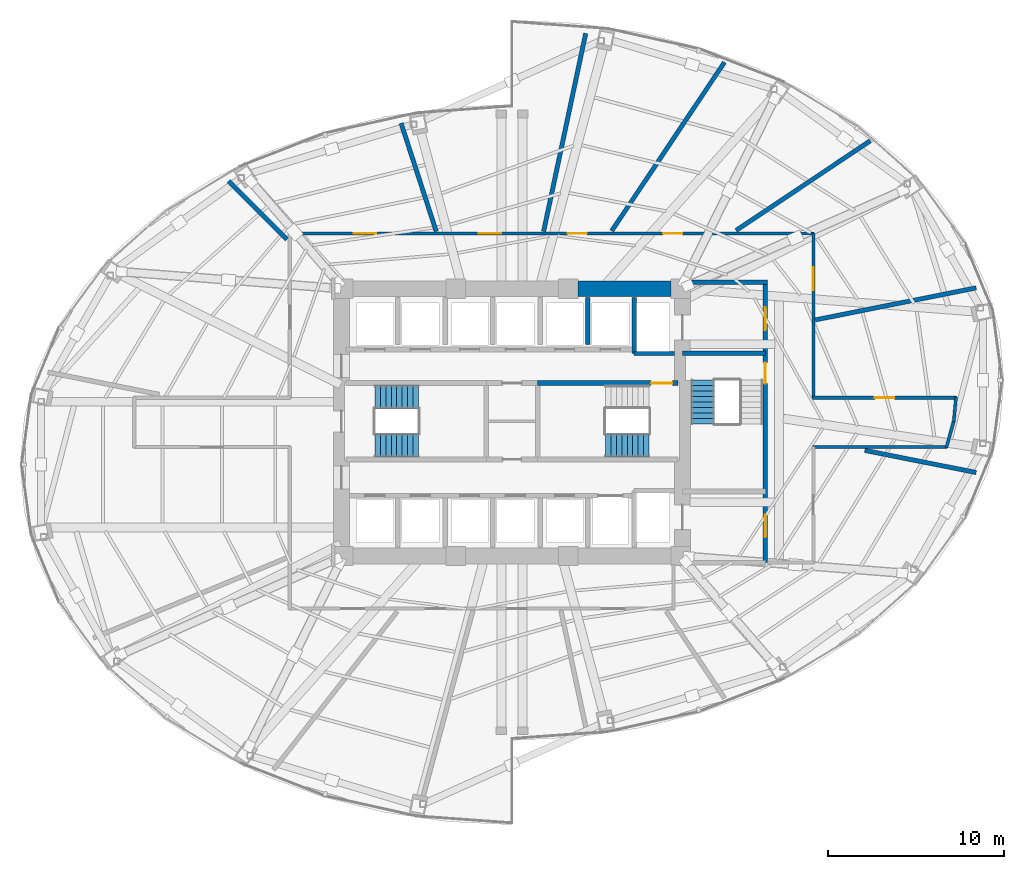
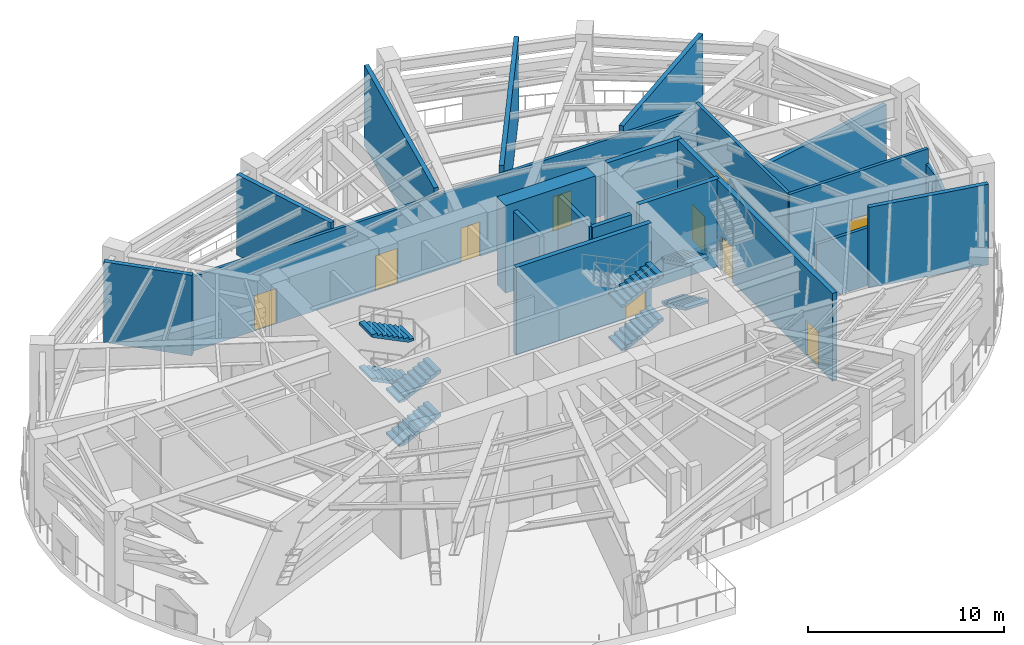
# One storey, part 10 of 14: 21 walls, 10 doors, 8 stair flights, 10 openings, 3 elements without a shape of their own.
"""IFC4 building model written with IfcOpenShell, lengths in metres."""

from ifc_helpers import new_model, si_unit, direction, frame, frame_2d, origin, place, context, subcontext, project, spatial, polyline, rectangle, outline, extrude, material, layer, layer_set, type_object, element, fill, aggregate, save


model = new_model("IFC4")

# Units and contexts
model_context = context("Model", 3, precision=1e-05, world=origin(), true_north=direction((0.0, 1.0)))
body_context = subcontext(model_context, "Body", "Model", "MODEL_VIEW")
ifc_project = project(units=[si_unit("LENGTHUNIT", "METRE"), si_unit("AREAUNIT", "SQUARE_METRE"), si_unit("VOLUMEUNIT", "CUBIC_METRE"), si_unit("PLANEANGLEUNIT", "RADIAN"), si_unit("MASSUNIT", "GRAM", prefix="KILO")], contexts=[model_context])

# Site, building, storey
site_placement = place(None, origin())
site = spatial("IfcSite", under=ifc_project, at=site_placement, CompositionType="ELEMENT")
building_placement = place(site_placement, origin())
building = spatial("IfcBuilding", under=site, at=building_placement, Name="Lazwardi Medical Tower", CompositionType="ELEMENT")
storey_placement = place(building_placement, frame((0.0, 0.0, 76.27197265625)))
storey = spatial("IfcBuildingStorey", under=building, at=storey_placement, Name="L19", CompositionType="ELEMENT", Elevation=76.27197265625)

# Wall, openings, doors
ifc_material_1 = material(Name="Fire-rated gypsum board on steel stud", Category="steel")
ifc_layer_1 = layer(ifc_material_1, 0.179931640625)
ifc_layer_set_1 = layer_set([ifc_layer_1], Name="Fire-rated gypsum board on steel stud")
wall_type_1 = type_object("IfcWallType", Name="WL-COR-180", PredefinedType="PARTITIONING", material=ifc_layer_set_1)
wall_1_placement = place(storey_placement, frame((23.31005859375, 38.75, 0.0), z_axis=(0.0, 0.0, 1.0), x_axis=(1.0, 0.0, 0.0)))
wall_1 = element("IfcWall", 1, at=wall_1_placement, inside=storey, type_object=wall_type_1, Name="L19 Corridor partition 4", PredefinedType="PARTITIONING", context=body_context, shape_type="SweptSolid", body=[
    extrude(rectangle(XDim=29.8798828125, YDim=0.179931640625, at=frame_2d((14.93994140625, 0.0))), origin(), (0.0, 0.0, 1.0), 4.64697265625),
])
opening_1_placement = place(wall_1_placement, frame((21.289794921875, 0.0, 0.0)))
opening_1 = element("IfcOpeningElement", 2, at=opening_1_placement, cuts=wall_1, Name="Opening D-L19-015", PredefinedType="OPENING", context=body_context, shape_type="SweptSolid", body=[
    extrude(rectangle(XDim=1.10009765625, YDim=2.14990234375, at=frame_2d((0.550048828125, 1.074951171875))), frame((0.0, 0.099853515625, 0.0), z_axis=(0.0, -1.0, 0.0), x_axis=(1.0, 0.0, 0.0)), (0.0, 0.0, 1.0), 0.199951171875),
])
opening_2_placement = place(wall_1_placement, frame((15.851806640625, 0.0, 0.0)))
opening_2 = element("IfcOpeningElement", 3, at=opening_2_placement, cuts=wall_1, Name="Opening D-L19-016", PredefinedType="OPENING", context=body_context, shape_type="SweptSolid", body=[
    extrude(rectangle(XDim=1.10009765625, YDim=2.14990234375, at=frame_2d((0.550048828125, 1.074951171875))), frame((0.0, 0.099853515625, 0.0), z_axis=(0.0, -1.0, 0.0), x_axis=(1.0, 0.0, 0.0)), (0.0, 0.0, 1.0), 0.199951171875),
])
opening_3_placement = place(wall_1_placement, frame((10.78759765625, 0.0, 0.0)))
opening_3 = element("IfcOpeningElement", 4, at=opening_3_placement, cuts=wall_1, Name="Opening D-L19-017", PredefinedType="OPENING", context=body_context, shape_type="SweptSolid", body=[
    extrude(rectangle(XDim=1.300048828125, YDim=2.199951171875, at=frame_2d((0.64990234375, 1.10009765625))), frame((0.0, 0.099853515625, 0.0), z_axis=(0.0, -1.0, 0.0), x_axis=(1.0, 0.0, 0.0)), (0.0, 0.0, 1.0), 0.199951171875),
])
opening_4_placement = place(wall_1_placement, frame((3.673828125, 0.0, 0.0)))
opening_4 = element("IfcOpeningElement", 5, at=opening_4_placement, cuts=wall_1, Name="Opening D-L19-018", PredefinedType="OPENING", context=body_context, shape_type="SweptSolid", body=[
    extrude(rectangle(XDim=1.300048828125, YDim=2.199951171875, at=frame_2d((0.64990234375, 1.10009765625))), frame((0.0, 0.099853515625, 0.0), z_axis=(0.0, -1.0, 0.0), x_axis=(1.0, 0.0, 0.0)), (0.0, 0.0, 1.0), 0.199951171875),
])
ifc_material_2 = material(Name="Fire-rated steel leaf and frame", Category="steel")
door_type_1 = type_object("IfcDoorType", Name="DR-FFL-1300", OperationType="NOTDEFINED", PredefinedType="DOOR", material=ifc_material_2)
door_1_placement = place(opening_3_placement, origin())
door_1 = element("IfcDoor", 6, at=door_1_placement, inside=storey, type_object=door_type_1, Name="L19 Area of Refuge Door 11", OperationType="SINGLE_SWING_RIGHT", OverallHeight=2.199951171875, OverallWidth=1.300048828125, PredefinedType="DOOR", context=body_context, shape_type="SweptSolid", body=[
    extrude(rectangle(XDim=1.300048828125, YDim=2.199951171875, at=frame_2d((0.64990234375, 1.10009765625))), frame((0.0, 0.02490234375, 0.0), z_axis=(0.0, -1.0, 0.0), x_axis=(1.0, 0.0, 0.0)), (0.0, 0.0, 1.0), 0.050048828125),
])
fill(opening_3, door_1)
door_2_placement = place(opening_4_placement, origin())
door_2 = element("IfcDoor", 7, at=door_2_placement, inside=storey, type_object=door_type_1, Name="L19 Area of Refuge Door 12", OperationType="SINGLE_SWING_LEFT", OverallHeight=2.199951171875, OverallWidth=1.300048828125, PredefinedType="DOOR", context=body_context, shape_type="SweptSolid", body=[
    extrude(rectangle(XDim=1.300048828125, YDim=2.199951171875, at=frame_2d((0.64990234375, 1.10009765625))), frame((0.0, 0.02490234375, 0.0), z_axis=(0.0, -1.0, 0.0), x_axis=(1.0, 0.0, 0.0)), (0.0, 0.0, 1.0), 0.050048828125),
])
fill(opening_4, door_2)
door_type_2 = type_object("IfcDoorType", Name="DR-PLT-1100", OperationType="NOTDEFINED", PredefinedType="DOOR", material=ifc_material_2)
door_3_placement = place(opening_1_placement, origin())
door_3 = element("IfcDoor", 8, at=door_3_placement, inside=storey, type_object=door_type_2, Name="L19 Medical Gas Plant Room Door 09", OperationType="SINGLE_SWING_RIGHT", OverallHeight=2.14990234375, OverallWidth=1.10009765625, PredefinedType="DOOR", context=body_context, shape_type="SweptSolid", body=[
    extrude(rectangle(XDim=1.10009765625, YDim=2.14990234375, at=frame_2d((0.550048828125, 1.074951171875))), frame((0.0, 0.02490234375, 0.0), z_axis=(0.0, -1.0, 0.0), x_axis=(1.0, 0.0, 0.0)), (0.0, 0.0, 1.0), 0.050048828125),
])
fill(opening_1, door_3)
door_4_placement = place(opening_2_placement, origin())
door_4 = element("IfcDoor", 9, at=door_4_placement, inside=storey, type_object=door_type_2, Name="L19 Water Tank Plant Room Door 10", OperationType="SINGLE_SWING_LEFT", OverallHeight=2.14990234375, OverallWidth=1.10009765625, PredefinedType="DOOR", context=body_context, shape_type="SweptSolid", body=[
    extrude(rectangle(XDim=1.10009765625, YDim=2.14990234375, at=frame_2d((0.550048828125, 1.074951171875))), frame((0.0, 0.02490234375, 0.0), z_axis=(0.0, -1.0, 0.0), x_axis=(1.0, 0.0, 0.0)), (0.0, 0.0, 1.0), 0.050048828125),
])
fill(opening_2, door_4)

# Wall, opening, door
wall_2_placement = place(storey_placement, frame((53.14990234375, 38.7900390625, 0.0), z_axis=(0.0, 0.0, 1.0), x_axis=(0.0, -1.0, 0.0)))
wall_2 = element("IfcWall", 10, at=wall_2_placement, inside=storey, type_object=wall_type_1, Name="L19 Corridor partition 5", PredefinedType="PARTITIONING", context=body_context, shape_type="SweptSolid", body=[
    extrude(rectangle(XDim=9.429931640625, YDim=0.179931640625, at=frame_2d((4.71484375, 0.0))), origin(), (0.0, 0.0, 1.0), 5.02197265625),
])
opening_5_placement = place(wall_2_placement, frame((1.962646484375, 0.0, 0.0)))
opening_5 = element("IfcOpeningElement", 11, at=opening_5_placement, cuts=wall_2, Name="Opening D-L19-014", PredefinedType="OPENING", context=body_context, shape_type="SweptSolid", body=[
    extrude(rectangle(XDim=1.300048828125, YDim=2.199951171875, at=frame_2d((0.64990234375, 1.10009765625))), frame((0.0, 0.099853515625, 0.0), z_axis=(0.0, -1.0, 0.0), x_axis=(1.0, 0.0, 0.0)), (0.0, 0.0, 1.0), 0.199951171875),
])
door_5_placement = place(opening_5_placement, origin())
door_5 = element("IfcDoor", 12, at=door_5_placement, inside=storey, type_object=door_type_1, Name="L19 Area of Refuge Door 08", OperationType="SINGLE_SWING_LEFT", OverallHeight=2.199951171875, OverallWidth=1.300048828125, PredefinedType="DOOR", context=body_context, shape_type="SweptSolid", body=[
    extrude(rectangle(XDim=1.300048828125, YDim=2.199951171875, at=frame_2d((0.64990234375, 1.10009765625))), frame((0.0, 0.02490234375, 0.0), z_axis=(0.0, -1.0, 0.0), x_axis=(1.0, 0.0, 0.0)), (0.0, 0.0, 1.0), 0.050048828125),
])
fill(opening_5, door_5)

wall_3_placement = place(storey_placement, frame((53.110107421875, 29.39990234375, 0.0), z_axis=(0.0, 0.0, 1.0), x_axis=(1.0, 0.0, 0.0)))
wall_3 = element("IfcWall", 13, at=wall_3_placement, inside=storey, type_object=wall_type_1, Name="L19 Corridor partition 6", PredefinedType="PARTITIONING", context=body_context, shape_type="SweptSolid", body=[
    extrude(rectangle(XDim=8.19677734375, YDim=0.179931640625, at=frame_2d((4.098388671875, 0.0))), origin(), (0.0, 0.0, 1.0), 5.02197265625),
])
opening_6_placement = place(wall_3_placement, frame((3.54833984375, 0.0, 0.0)))
opening_6 = element("IfcOpeningElement", 14, at=opening_6_placement, cuts=wall_3, Name="Opening D-L19-013", PredefinedType="OPENING", context=body_context, shape_type="SweptSolid", body=[
    extrude(rectangle(XDim=1.10009765625, YDim=2.14990234375, at=frame_2d((0.550048828125, 1.074951171875))), frame((0.0, 0.099853515625, 0.0), z_axis=(0.0, -1.0, 0.0), x_axis=(1.0, 0.0, 0.0)), (0.0, 0.0, 1.0), 0.199951171875),
])
door_6_placement = place(opening_6_placement, origin())
door_6 = element("IfcDoor", 15, at=door_6_placement, inside=storey, type_object=door_type_2, Name="L19 Electrical Switchroom Door 07", OperationType="SINGLE_SWING_RIGHT", OverallHeight=2.14990234375, OverallWidth=1.10009765625, PredefinedType="DOOR", context=body_context, shape_type="SweptSolid", body=[
    extrude(rectangle(XDim=1.10009765625, YDim=2.14990234375, at=frame_2d((0.550048828125, 1.074951171875))), frame((0.0, 0.02490234375, 0.0), z_axis=(0.0, -1.0, 0.0), x_axis=(1.0, 0.0, 0.0)), (0.0, 0.0, 1.0), 0.050048828125),
])
fill(opening_6, door_6)

# Walls
wall_4_placement = place(storey_placement, frame((61.2705078125, 29.439697265625, 0.0), z_axis=(0.0, 0.0, 1.0), x_axis=(-0.092539930621, -0.995708974169, 0.0)))
element("IfcWall", 16, at=wall_4_placement, inside=storey, type_object=wall_type_1, Name="L19 Corridor partition 7", PredefinedType="PARTITIONING", context=body_context, shape_type="SweptSolid", body=[
    extrude(rectangle(XDim=1.416748046875, YDim=0.179931640625, at=frame_2d((0.70849609375, 0.0))), origin(), (0.0, 0.0, 1.0), 4.10693359375),
])
wall_5_placement = place(storey_placement, frame((61.15380859375, 28.107421875, 0.0), z_axis=(0.0, 0.0, 1.0), x_axis=(-0.271748942561, -0.962368179138, 0.0)))
element("IfcWall", 17, at=wall_5_placement, inside=storey, type_object=wall_type_1, Name="L19 Corridor partition 8", PredefinedType="PARTITIONING", context=body_context, shape_type="SweptSolid", body=[
    extrude(rectangle(XDim=1.6064453125, YDim=0.179931640625, at=frame_2d((0.80322265625, 0.0))), origin(), (0.0, 0.0, 1.0), 4.10693359375),
])
wall_6_placement = place(storey_placement, frame((60.768310546875, 26.60009765625, 0.0), z_axis=(0.0, 0.0, 1.0), x_axis=(-1.0, 0.0, 0.0)))
element("IfcWall", 18, at=wall_6_placement, inside=storey, type_object=wall_type_1, Name="L19 Corridor partition 9", PredefinedType="PARTITIONING", context=body_context, shape_type="SweptSolid", body=[
    extrude(rectangle(XDim=7.658203125, YDim=0.179931640625, at=frame_2d((3.8291015625, 0.0))), origin(), (0.0, 0.0, 1.0), 3.60693359375),
])
ifc_material_3 = material(Name="Concrete C80/95", Category="concrete")
ifc_layer_2 = layer(ifc_material_3, 0.89990234375)
ifc_layer_set_2 = layer_set([ifc_layer_2], Name="Concrete C80/95")
wall_type_2 = type_object("IfcWallType", Name="WL-CORE-900", PredefinedType="SHEAR", material=ifc_layer_set_2)
wall_7_placement = place(storey_placement, frame((39.75, 35.60009765625, 0.0), z_axis=(0.0, 0.0, 1.0), x_axis=(1.0, 0.0, 0.0)))
element("IfcWall", 19, at=wall_7_placement, inside=storey, type_object=wall_type_2, Name="Core wall CW-S1 N3 L19", PredefinedType="SHEAR", context=body_context, shape_type="SweptSolid", body=[
    extrude(rectangle(XDim=5.300048828125, YDim=0.89990234375, at=frame_2d((2.64990234375, 0.0))), origin(), (0.0, 0.0, 1.0), 5.471923828125),
])
ifc_material_4 = material(Name="Autoclaved aerated concrete blockwork", Category="masonry")
ifc_layer_3 = layer(ifc_material_4, 0.25)
ifc_layer_set_3 = layer_set([ifc_layer_3], Name="Autoclaved aerated concrete blockwork")
wall_type_3 = type_object("IfcWallType", Name="WL-SHAFT-250", PredefinedType="SOLIDWALL", material=ifc_layer_set_3)
wall_8_placement = place(storey_placement, frame((42.949951171875, 31.919921875, 0.0), z_axis=(0.0, 0.0, 1.0), x_axis=(0.0, 1.0, 0.0)))
element("IfcWall", 20, at=wall_8_placement, inside=storey, type_object=wall_type_3, Name="L19 FL-01 West shaft wall", PredefinedType="SOLIDWALL", context=body_context, shape_type="SweptSolid", body=[
    extrude(rectangle(XDim=3.18017578125, YDim=0.25, at=frame_2d((1.590087890625, 0.0))), origin(), (0.0, 0.0, 1.0), 5.02197265625),
])
wall_9_placement = place(storey_placement, frame((42.949951171875, 31.919921875, 0.0), z_axis=(0.0, 0.0, 1.0), x_axis=(1.0, 0.0, 0.0)))
element("IfcWall", 21, at=wall_9_placement, inside=storey, type_object=wall_type_3, Name="L19 FL-01 South shaft wall", PredefinedType="SOLIDWALL", context=body_context, shape_type="SweptSolid", body=[
    extrude(rectangle(XDim=2.300048828125, YDim=0.25, at=frame_2d((1.14990234375, 0.0))), origin(), (0.0, 0.0, 1.0), 5.02197265625),
])
wall_10_placement = place(storey_placement, frame((40.300048828125, 32.419921875, 0.0), z_axis=(0.0, 0.0, 1.0), x_axis=(0.0, 1.0, 0.0)))
element("IfcWall", 22, at=wall_10_placement, inside=storey, type_object=wall_type_3, Name="L19 North hoistway divider", PredefinedType="SOLIDWALL", context=body_context, shape_type="SweptSolid", body=[
    extrude(rectangle(XDim=2.68017578125, YDim=0.25, at=frame_2d((1.340087890625, 0.0))), origin(), (0.0, 0.0, 1.0), 5.02197265625),
])
wall_11_placement = place(storey_placement, frame((56.076904296875, 26.406494140625, 0.0), z_axis=(0.0, 0.0, 1.0), x_axis=(0.980786497314, -0.195084204093, 0.0)))
element("IfcWall", 23, at=wall_11_placement, inside=storey, type_object=wall_type_3, Name="L19 Room partition 3", PredefinedType="SOLIDWALL", context=body_context, shape_type="SweptSolid", body=[
    extrude(rectangle(XDim=6.461181640625, YDim=0.25, at=frame_2d((3.23046875, 0.0))), origin(), (0.0, 0.0, 1.0), 5.02197265625),
])
wall_12_placement = place(storey_placement, frame((53.263916015625, 33.833984375, 0.0), z_axis=(0.0, 0.0, 1.0), x_axis=(0.980785463752, 0.195089400258, 0.0)))
element("IfcWall", 24, at=wall_12_placement, inside=storey, type_object=wall_type_3, Name="L19 Room partition 4", PredefinedType="SOLIDWALL", context=body_context, shape_type="SweptSolid", body=[
    extrude(rectangle(XDim=9.329345703125, YDim=0.25, at=frame_2d((4.66455078125, 0.0))), origin(), (0.0, 0.0, 1.0), 3.60693359375),
])
wall_13_placement = place(storey_placement, frame((48.753662109375, 38.921630859375, 0.0), z_axis=(0.0, 0.0, 1.0), x_axis=(0.831460741595, 0.555583508743, 0.0)))
element("IfcWall", 25, at=wall_13_placement, inside=storey, type_object=wall_type_3, Name="L19 Room partition 5", PredefinedType="SOLIDWALL", context=body_context, shape_type="SweptSolid", body=[
    extrude(rectangle(XDim=9.181396484375, YDim=0.25, at=frame_2d((4.5908203125, 0.0))), origin(), (0.0, 0.0, 1.0), 5.02197265625),
])
wall_14_placement = place(storey_placement, frame((41.67724609375, 38.896484375, 0.0), z_axis=(0.0, 0.0, 1.0), x_axis=(0.555563687798, 0.831473985643, 0.0)))
element("IfcWall", 26, at=wall_14_placement, inside=storey, type_object=wall_type_3, Name="L19 Room partition 6", PredefinedType="SOLIDWALL", context=body_context, shape_type="SweptSolid", body=[
    extrude(rectangle(XDim=11.544677734375, YDim=0.25, at=frame_2d((5.7724609375, 0.0))), origin(), (0.0, 0.0, 1.0), 5.02197265625),
])
wall_15_placement = place(storey_placement, frame((37.799072265625, 38.86376953125, 0.0), z_axis=(0.0, 0.0, 1.0), x_axis=(0.207913997211, 0.978147110492, 0.0)))
element("IfcWall", 27, at=wall_15_placement, inside=storey, type_object=wall_type_3, Name="L19 Room partition 7", PredefinedType="SOLIDWALL", context=body_context, shape_type="SweptSolid", body=[
    extrude(rectangle(XDim=11.522705078125, YDim=0.25, at=frame_2d((5.76123046875, 0.0))), origin(), (0.0, 0.0, 1.0), 5.02197265625),
])
wall_16_placement = place(storey_placement, frame((31.69091796875, 38.862060546875, 0.0), z_axis=(0.0, 0.0, 1.0), x_axis=(-0.309010280553, 0.951058697722, 0.0)))
element("IfcWall", 28, at=wall_16_placement, inside=storey, type_object=wall_type_3, Name="L19 Room partition 8", PredefinedType="SOLIDWALL", context=body_context, shape_type="SweptSolid", body=[
    extrude(rectangle(XDim=6.482666015625, YDim=0.25, at=frame_2d((3.2412109375, 0.0))), origin(), (0.0, 0.0, 1.0), 5.02197265625),
])
wall_17_placement = place(storey_placement, frame((23.181884765625, 38.418212890625, 0.0), z_axis=(0.0, 0.0, 1.0), x_axis=(-0.707132872244, 0.707080689167, 0.0)))
element("IfcWall", 29, at=wall_17_placement, inside=storey, type_object=wall_type_3, Name="L19 Room partition 9", PredefinedType="SOLIDWALL", context=body_context, shape_type="SweptSolid", body=[
    extrude(rectangle(XDim=4.678466796875, YDim=0.25, at=frame_2d((2.33935546875, 0.0))), origin(), (0.0, 0.0, 1.0), 5.02197265625),
])

# Wall, opening, door
ifc_material_5 = material(Name="Concrete C50/60", Category="concrete")
ifc_layer_4 = layer(ifc_material_5, 0.27001953125)
ifc_layer_set_4 = layer_set([ifc_layer_4], Name="Concrete C50/60")
wall_type_4 = type_object("IfcWallType", Name="WL-STR-250", PredefinedType="SHEAR", material=ifc_layer_set_4)
wall_18_placement = place(storey_placement, frame((37.465087890625, 30.235107421875, 0.0), z_axis=(0.0, 0.0, 1.0), x_axis=(1.0, 0.0, 0.0)))
wall_18 = element("IfcWall", 30, at=wall_18_placement, inside=storey, type_object=wall_type_4, Name="L19 ST2 North shear shaft wall SW-S1", PredefinedType="SHEAR", context=body_context, shape_type="SweptSolid", body=[
    extrude(rectangle(XDim=7.98486328125, YDim=0.27001953125, at=frame_2d((3.992431640625, 0.0))), origin(), (0.0, 0.0, 1.0), 5.471923828125),
])
opening_7_placement = place(wall_18_placement, frame((6.455078125, 0.0, 0.0)))
opening_7 = element("IfcOpeningElement", 31, at=opening_7_placement, cuts=wall_18, Name="Opening D-L19-021", PredefinedType="OPENING", context=body_context, shape_type="SweptSolid", body=[
    extrude(rectangle(XDim=1.199951171875, YDim=2.14990234375, at=frame_2d((0.60009765625, 1.074951171875))), frame((0.0, 0.14501953125, 0.0), z_axis=(0.0, -1.0, 0.0), x_axis=(1.0, 0.0, 0.0)), (0.0, 0.0, 1.0), 0.2900390625),
])
door_type_3 = type_object("IfcDoorType", Name="DR-STR-1200", OperationType="NOTDEFINED", PredefinedType="DOOR", material=ifc_material_2)
door_7_placement = place(opening_7_placement, origin())
door_7 = element("IfcDoor", 32, at=door_7_placement, inside=storey, type_object=door_type_3, Name="L19 Exit Stair ST2 Door", OperationType="SINGLE_SWING_RIGHT", OverallHeight=2.14990234375, OverallWidth=1.199951171875, PredefinedType="DOOR", context=body_context, shape_type="SweptSolid", body=[
    extrude(rectangle(XDim=1.199951171875, YDim=2.14990234375, at=frame_2d((0.60009765625, 1.074951171875))), frame((0.0, 0.02490234375, 0.0), z_axis=(0.0, -1.0, 0.0), x_axis=(1.0, 0.0, 0.0)), (0.0, 0.0, 1.0), 0.050048828125),
])
fill(opening_7, door_7)

# Wall, openings, doors
wall_19_placement = place(storey_placement, frame((50.4150390625, 35.844970703125, 0.0), z_axis=(0.0, 0.0, 1.0), x_axis=(0.0, -1.0, 0.0)))
wall_19 = element("IfcWall", 33, at=wall_19_placement, inside=storey, type_object=wall_type_4, Name="L19 East ST3 & FFL shear wall SW-S1", PredefinedType="SHEAR", context=body_context, shape_type="SweptSolid", body=[
    extrude(rectangle(XDim=15.824951171875, YDim=0.27001953125, at=frame_2d((7.91259765625, 0.0))), origin(), (0.0, 0.0, 1.0), 5.471923828125),
])
opening_8_placement = place(wall_19_placement, frame((4.445068359375, 0.0, 0.0)))
opening_8 = element("IfcOpeningElement", 34, at=opening_8_placement, cuts=wall_19, Name="Opening D-L19-022", PredefinedType="OPENING", context=body_context, shape_type="SweptSolid", body=[
    extrude(rectangle(XDim=1.199951171875, YDim=2.14990234375, at=frame_2d((0.60009765625, 1.074951171875))), frame((0.0, 0.14501953125, 0.0), z_axis=(0.0, -1.0, 0.0), x_axis=(1.0, 0.0, 0.0)), (0.0, 0.0, 1.0), 0.2900390625),
])
opening_9_placement = place(wall_19_placement, frame((1.294921875, 0.0, 0.0)))
opening_9 = element("IfcOpeningElement", 35, at=opening_9_placement, cuts=wall_19, Name="Opening D-L19-003", PredefinedType="OPENING", context=body_context, shape_type="SweptSolid", body=[
    extrude(rectangle(XDim=1.300048828125, YDim=2.199951171875, at=frame_2d((0.64990234375, 1.10009765625))), frame((0.0, 0.14501953125, 0.0), z_axis=(0.0, -1.0, 0.0), x_axis=(1.0, 0.0, 0.0)), (0.0, 0.0, 1.0), 0.2900390625),
])
opening_10_placement = place(wall_19_placement, frame((13.094970703125, 0.0, 0.0)))
opening_10 = element("IfcOpeningElement", 36, at=opening_10_placement, cuts=wall_19, Name="Opening D-L19-004", PredefinedType="OPENING", context=body_context, shape_type="SweptSolid", body=[
    extrude(rectangle(XDim=1.300048828125, YDim=2.199951171875, at=frame_2d((0.64990234375, 1.10009765625))), frame((0.0, 0.14501953125, 0.0), z_axis=(0.0, -1.0, 0.0), x_axis=(1.0, 0.0, 0.0)), (0.0, 0.0, 1.0), 0.2900390625),
])
door_8_placement = place(opening_9_placement, origin())
door_8 = element("IfcDoor", 37, at=door_8_placement, inside=storey, type_object=door_type_1, Name="L19 Fire-Fighting Lobby North Door", OperationType="SINGLE_SWING_RIGHT", OverallHeight=2.199951171875, OverallWidth=1.300048828125, PredefinedType="DOOR", context=body_context, shape_type="SweptSolid", body=[
    extrude(rectangle(XDim=1.300048828125, YDim=2.199951171875, at=frame_2d((0.64990234375, 1.10009765625))), frame((0.0, 0.02490234375, 0.0), z_axis=(0.0, -1.0, 0.0), x_axis=(1.0, 0.0, 0.0)), (0.0, 0.0, 1.0), 0.050048828125),
])
fill(opening_9, door_8)
door_9_placement = place(opening_10_placement, origin())
door_9 = element("IfcDoor", 38, at=door_9_placement, inside=storey, type_object=door_type_1, Name="L19 Fire-Fighting Lobby South Door", OperationType="SINGLE_SWING_LEFT", OverallHeight=2.199951171875, OverallWidth=1.300048828125, PredefinedType="DOOR", context=body_context, shape_type="SweptSolid", body=[
    extrude(rectangle(XDim=1.300048828125, YDim=2.199951171875, at=frame_2d((0.64990234375, 1.10009765625))), frame((0.0, 0.02490234375, 0.0), z_axis=(0.0, -1.0, 0.0), x_axis=(1.0, 0.0, 0.0)), (0.0, 0.0, 1.0), 0.050048828125),
])
fill(opening_10, door_9)
door_10_placement = place(opening_8_placement, origin())
door_10 = element("IfcDoor", 39, at=door_10_placement, inside=storey, type_object=door_type_3, Name="L19 Exit Stair ST3 Door", OperationType="SINGLE_SWING_LEFT", OverallHeight=2.14990234375, OverallWidth=1.199951171875, PredefinedType="DOOR", context=body_context, shape_type="SweptSolid", body=[
    extrude(rectangle(XDim=1.199951171875, YDim=2.14990234375, at=frame_2d((0.60009765625, 1.074951171875))), frame((0.0, 0.02490234375, 0.0), z_axis=(0.0, -1.0, 0.0), x_axis=(1.0, 0.0, 0.0)), (0.0, 0.0, 1.0), 0.050048828125),
])
fill(opening_8, door_10)

# Walls
wall_20_placement = place(storey_placement, frame((46.14990234375, 35.97998046875, 0.0), z_axis=(0.0, 0.0, 1.0), x_axis=(1.0, 0.0, 0.0)))
element("IfcWall", 40, at=wall_20_placement, inside=storey, type_object=wall_type_4, Name="L19 FFL-N North shear wall SW-S1", PredefinedType="SHEAR", context=body_context, shape_type="SweptSolid", body=[
    extrude(rectangle(XDim=4.400146484375, YDim=0.27001953125, at=frame_2d((2.2001953125, 0.0))), origin(), (0.0, 0.0, 1.0), 5.471923828125),
])
wall_21_placement = place(storey_placement, frame((45.699951171875, 31.93505859375, 0.0), z_axis=(0.0, 0.0, 1.0), x_axis=(1.0, 0.0, 0.0)))
element("IfcWall", 41, at=wall_21_placement, inside=storey, type_object=wall_type_4, Name="L19 ST3 North shear shaft wall SW-S1", PredefinedType="SHEAR", context=body_context, shape_type="SweptSolid", body=[
    extrude(rectangle(XDim=4.715087890625, YDim=0.27001953125, at=frame_2d((2.357421875, 0.0))), origin(), (0.0, 0.0, 1.0), 5.471923828125),
])

# Stair, stair flights
ifc_material_6 = material(Name="Concrete C45/55", Category="concrete")
stair_type = type_object("IfcStairType", Name="STR-REF", PredefinedType="HALF_TURN_STAIR", material=ifc_material_6)
stair_1_placement = place(storey_placement, origin())
stair_1 = element("IfcStair", 42, at=stair_1_placement, inside=storey, type_object=stair_type, Name="L19 Protected Exit Stair ST1", PredefinedType="HALF_TURN_STAIR")
stair_flight_type = type_object("IfcStairFlightType", Name="FLT-REF", PredefinedType="STRAIGHT", material=ifc_material_6)
stair_flight_1_placement = place(storey_placement, frame((28.199951171875, 26.679931640625, 0.0), z_axis=(0.0, 0.0, 1.0), x_axis=(1.0, 0.0, 0.0)))
stair_flight_1 = element("IfcStairFlight", 43, at=stair_flight_1_placement, type_object=stair_flight_type, Name="ST1 flight 1", NumberOfRisers=9, NumberOfTreads=8, PredefinedType="STRAIGHT", RiserHeight=0.152, TreadLength=0.31, context=body_context, shape_type="SweptSolid", body=[
    extrude(outline(polyline([(0.0, 0.0), (0.0, 0.152099609375), (0.31005859375, 0.152099609375), (0.31005859375, 0.303955078125), (0.6201171875, 0.303955078125), (0.6201171875, 0.4560546875), (0.929931640625, 0.4560546875), (0.929931640625, 0.60791015625), (1.239990234375, 0.60791015625), (1.239990234375, 0.760009765625), (1.550048828125, 0.760009765625), (1.550048828125, 0.912109375), (1.860107421875, 0.912109375), (1.860107421875, 1.06396484375), (2.169921875, 1.06396484375), (2.169921875, 1.216064453125), (2.47998046875, 1.216064453125), (2.47998046875, 1.367919921875), (2.47998046875, 1.049072265625), (0.340576171875, 0.0), (0.0, 0.0)])), frame((0.0, 0.66015625, 0.0), z_axis=(0.0, -1.0, 0.0), x_axis=(1.0, 0.0, 0.0)), (0.0, 0.0, 1.0), 1.320068359375),
])
stair_flight_2_placement = place(storey_placement, frame((30.679931640625, 29.43994140625, 1.367919921875), z_axis=(0.0, 0.0, 1.0), x_axis=(-1.0, 0.0, 0.0)))
stair_flight_2 = element("IfcStairFlight", 44, at=stair_flight_2_placement, type_object=stair_flight_type, Name="ST1 flight 2", NumberOfRisers=9, NumberOfTreads=8, PredefinedType="STRAIGHT", RiserHeight=0.152, TreadLength=0.31, context=body_context, shape_type="SweptSolid", body=[
    extrude(outline(polyline([(0.0, 0.0), (0.0, 0.152099609375), (0.31005859375, 0.152099609375), (0.31005859375, 0.303955078125), (0.6201171875, 0.303955078125), (0.6201171875, 0.4560546875), (0.929931640625, 0.4560546875), (0.929931640625, 0.60791015625), (1.239990234375, 0.60791015625), (1.239990234375, 0.760009765625), (1.550048828125, 0.760009765625), (1.550048828125, 0.912109375), (1.860107421875, 0.912109375), (1.860107421875, 1.06396484375), (2.169921875, 1.06396484375), (2.169921875, 1.216064453125), (2.47998046875, 1.216064453125), (2.47998046875, 1.367919921875), (2.47998046875, 1.049072265625), (0.340576171875, 0.0), (0.0, 0.0)])), frame((0.0, 0.66015625, 0.0), z_axis=(0.0, -1.0, 0.0), x_axis=(1.0, 0.0, 0.0)), (0.0, 0.0, 1.0), 1.320068359375),
])
stair_flight_3_placement = place(storey_placement, frame((28.199951171875, 26.679931640625, 2.736083984375), z_axis=(0.0, 0.0, 1.0), x_axis=(1.0, 0.0, 0.0)))
stair_flight_3 = element("IfcStairFlight", 45, at=stair_flight_3_placement, type_object=stair_flight_type, Name="ST1 flight 3", NumberOfRisers=9, NumberOfTreads=8, PredefinedType="STRAIGHT", RiserHeight=0.152, TreadLength=0.31, context=body_context, shape_type="SweptSolid", body=[
    extrude(outline(polyline([(0.0, 0.0), (0.0, 0.152099609375), (0.31005859375, 0.152099609375), (0.31005859375, 0.303955078125), (0.6201171875, 0.303955078125), (0.6201171875, 0.4560546875), (0.929931640625, 0.4560546875), (0.929931640625, 0.60791015625), (1.239990234375, 0.60791015625), (1.239990234375, 0.760009765625), (1.550048828125, 0.760009765625), (1.550048828125, 0.912109375), (1.860107421875, 0.912109375), (1.860107421875, 1.06396484375), (2.169921875, 1.06396484375), (2.169921875, 1.216064453125), (2.47998046875, 1.216064453125), (2.47998046875, 1.367919921875), (2.47998046875, 1.049072265625), (0.340576171875, 0.0), (0.0, 0.0)])), frame((0.0, 0.66015625, 0.0), z_axis=(0.0, -1.0, 0.0), x_axis=(1.0, 0.0, 0.0)), (0.0, 0.0, 1.0), 1.320068359375),
])
stair_flight_4_placement = place(storey_placement, frame((30.679931640625, 29.43994140625, 4.10400390625), z_axis=(0.0, 0.0, 1.0), x_axis=(-1.0, 0.0, 0.0)))
stair_flight_4 = element("IfcStairFlight", 46, at=stair_flight_4_placement, type_object=stair_flight_type, Name="ST1 flight 4", NumberOfRisers=9, NumberOfTreads=8, PredefinedType="STRAIGHT", RiserHeight=0.152, TreadLength=0.31, context=body_context, shape_type="SweptSolid", body=[
    extrude(outline(polyline([(0.0, 0.0), (0.0, 0.152099609375), (0.31005859375, 0.152099609375), (0.31005859375, 0.303955078125), (0.6201171875, 0.303955078125), (0.6201171875, 0.4560546875), (0.929931640625, 0.4560546875), (0.929931640625, 0.60791015625), (1.239990234375, 0.60791015625), (1.239990234375, 0.760009765625), (1.550048828125, 0.760009765625), (1.550048828125, 0.912109375), (1.860107421875, 0.912109375), (1.860107421875, 1.06396484375), (2.169921875, 1.06396484375), (2.169921875, 1.216064453125), (2.47998046875, 1.216064453125), (2.47998046875, 1.367919921875), (2.47998046875, 1.049072265625), (0.340576171875, 0.0), (0.0, 0.0)])), frame((0.0, 0.66015625, 0.0), z_axis=(0.0, -1.0, 0.0), x_axis=(1.0, 0.0, 0.0)), (0.0, 0.0, 1.0), 1.320068359375),
])
aggregate(stair_1, [stair_flight_1, stair_flight_2, stair_flight_3, stair_flight_4])

stair_2_placement = place(storey_placement, origin())
stair_2 = element("IfcStair", 47, at=stair_2_placement, inside=storey, type_object=stair_type, Name="L19 Protected Exit Stair ST2", PredefinedType="HALF_TURN_STAIR")
stair_flight_5_placement = place(storey_placement, frame((41.320068359375, 26.679931640625, 1.367919921875), z_axis=(0.0, 0.0, 1.0), x_axis=(1.0, 0.0, 0.0)))
stair_flight_5 = element("IfcStairFlight", 48, at=stair_flight_5_placement, type_object=stair_flight_type, Name="ST2 flight 2", NumberOfRisers=9, NumberOfTreads=8, PredefinedType="STRAIGHT", RiserHeight=0.152, TreadLength=0.31, context=body_context, shape_type="SweptSolid", body=[
    extrude(outline(polyline([(0.0, 0.0), (0.0, 0.152099609375), (0.31005859375, 0.152099609375), (0.31005859375, 0.303955078125), (0.6201171875, 0.303955078125), (0.6201171875, 0.4560546875), (0.929931640625, 0.4560546875), (0.929931640625, 0.60791015625), (1.239990234375, 0.60791015625), (1.239990234375, 0.760009765625), (1.550048828125, 0.760009765625), (1.550048828125, 0.912109375), (1.860107421875, 0.912109375), (1.860107421875, 1.06396484375), (2.169921875, 1.06396484375), (2.169921875, 1.216064453125), (2.47998046875, 1.216064453125), (2.47998046875, 1.367919921875), (2.47998046875, 1.049072265625), (0.340576171875, 0.0), (0.0, 0.0)])), frame((0.0, 0.66015625, 0.0), z_axis=(0.0, -1.0, 0.0), x_axis=(1.0, 0.0, 0.0)), (0.0, 0.0, 1.0), 1.320068359375),
])
stair_flight_6_placement = place(storey_placement, frame((41.320068359375, 26.679931640625, 4.10400390625), z_axis=(0.0, 0.0, 1.0), x_axis=(1.0, 0.0, 0.0)))
stair_flight_6 = element("IfcStairFlight", 49, at=stair_flight_6_placement, type_object=stair_flight_type, Name="ST2 flight 4", NumberOfRisers=9, NumberOfTreads=8, PredefinedType="STRAIGHT", RiserHeight=0.152, TreadLength=0.31, context=body_context, shape_type="SweptSolid", body=[
    extrude(outline(polyline([(0.0, 0.0), (0.0, 0.152099609375), (0.31005859375, 0.152099609375), (0.31005859375, 0.303955078125), (0.6201171875, 0.303955078125), (0.6201171875, 0.4560546875), (0.929931640625, 0.4560546875), (0.929931640625, 0.60791015625), (1.239990234375, 0.60791015625), (1.239990234375, 0.760009765625), (1.550048828125, 0.760009765625), (1.550048828125, 0.912109375), (1.860107421875, 0.912109375), (1.860107421875, 1.06396484375), (2.169921875, 1.06396484375), (2.169921875, 1.216064453125), (2.47998046875, 1.216064453125), (2.47998046875, 1.367919921875), (2.47998046875, 1.049072265625), (0.340576171875, 0.0), (0.0, 0.0)])), frame((0.0, 0.66015625, 0.0), z_axis=(0.0, -1.0, 0.0), x_axis=(1.0, 0.0, 0.0)), (0.0, 0.0, 1.0), 1.320068359375),
])
aggregate(stair_2, [stair_flight_5, stair_flight_6])

stair_3_placement = place(storey_placement, origin())
stair_3 = element("IfcStair", 50, at=stair_3_placement, inside=storey, type_object=stair_type, Name="L19 Protected Exit Stair ST3", PredefinedType="HALF_TURN_STAIR")
stair_flight_7_placement = place(storey_placement, frame((46.860107421875, 30.39990234375, 0.0), z_axis=(0.0, 0.0, 1.0), x_axis=(0.0, -1.0, 0.0)))
stair_flight_7 = element("IfcStairFlight", 51, at=stair_flight_7_placement, type_object=stair_flight_type, Name="ST3 flight 1", NumberOfRisers=9, NumberOfTreads=8, PredefinedType="STRAIGHT", RiserHeight=0.152, TreadLength=0.31, context=body_context, shape_type="SweptSolid", body=[
    extrude(outline(polyline([(0.0, 0.0), (0.0, 0.152099609375), (0.31005859375, 0.152099609375), (0.31005859375, 0.303955078125), (0.6201171875, 0.303955078125), (0.6201171875, 0.4560546875), (0.929931640625, 0.4560546875), (0.929931640625, 0.60791015625), (1.239990234375, 0.60791015625), (1.239990234375, 0.760009765625), (1.550048828125, 0.760009765625), (1.550048828125, 0.912109375), (1.860107421875, 0.912109375), (1.860107421875, 1.06396484375), (2.169921875, 1.06396484375), (2.169921875, 1.216064453125), (2.47998046875, 1.216064453125), (2.47998046875, 1.367919921875), (2.47998046875, 1.049072265625), (0.340576171875, 0.0), (0.0, 0.0)])), frame((0.0, 0.66015625, 0.0), z_axis=(0.0, -1.0, 0.0), x_axis=(1.0, 0.0, 0.0)), (0.0, 0.0, 1.0), 1.320068359375),
])
stair_flight_8_placement = place(storey_placement, frame((46.860107421875, 30.39990234375, 2.736083984375), z_axis=(0.0, 0.0, 1.0), x_axis=(0.0, -1.0, 0.0)))
stair_flight_8 = element("IfcStairFlight", 52, at=stair_flight_8_placement, type_object=stair_flight_type, Name="ST3 flight 3", NumberOfRisers=9, NumberOfTreads=8, PredefinedType="STRAIGHT", RiserHeight=0.152, TreadLength=0.31, context=body_context, shape_type="SweptSolid", body=[
    extrude(outline(polyline([(0.0, 0.0), (0.0, 0.152099609375), (0.31005859375, 0.152099609375), (0.31005859375, 0.303955078125), (0.6201171875, 0.303955078125), (0.6201171875, 0.4560546875), (0.929931640625, 0.4560546875), (0.929931640625, 0.60791015625), (1.239990234375, 0.60791015625), (1.239990234375, 0.760009765625), (1.550048828125, 0.760009765625), (1.550048828125, 0.912109375), (1.860107421875, 0.912109375), (1.860107421875, 1.06396484375), (2.169921875, 1.06396484375), (2.169921875, 1.216064453125), (2.47998046875, 1.216064453125), (2.47998046875, 1.367919921875), (2.47998046875, 1.049072265625), (0.340576171875, 0.0), (0.0, 0.0)])), frame((0.0, 0.66015625, 0.0), z_axis=(0.0, -1.0, 0.0), x_axis=(1.0, 0.0, 0.0)), (0.0, 0.0, 1.0), 1.320068359375),
])
aggregate(stair_3, [stair_flight_7, stair_flight_8])

save(model, "model.ifc")
